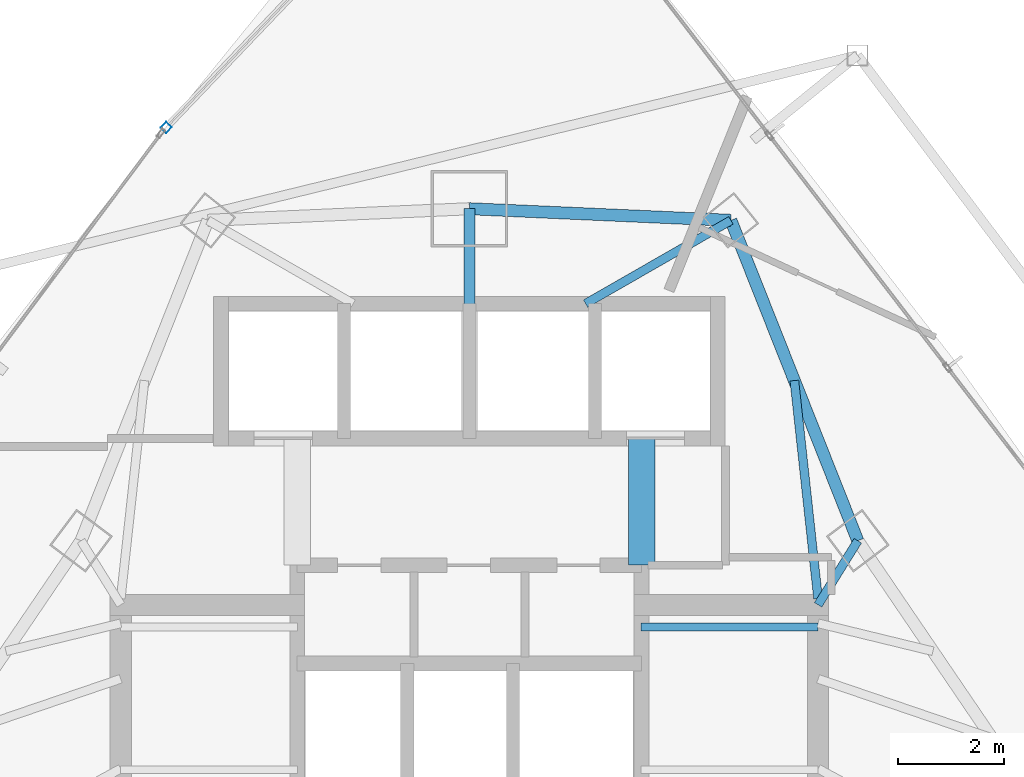
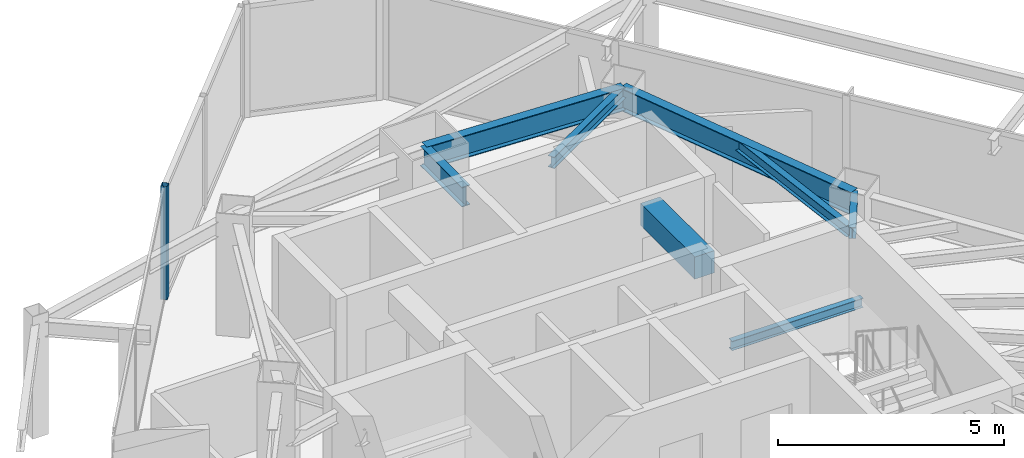
# One storey, part 21 of 31: 8 beams, 1 member, 1 element without a shape of its own.
"""IFC4 building model written with IfcOpenShell, lengths in metres."""

from ifc_helpers import new_model, si_unit, direction, frame, origin, origin_2d, place, context, subcontext, project, spatial, rectangle, hollow_rectangle, i_section, extrude, material, layer, layer_set, material_profile, profile_set, type_object, element, aggregate, save


model = new_model("IFC4")

# Units and contexts
model_context = context("Model", 3, precision=1e-05, world=origin(), true_north=direction((0.0, 1.0)))
body_context = subcontext(model_context, "Body", "Model", "MODEL_VIEW")
ifc_project = project(units=[si_unit("LENGTHUNIT", "METRE"), si_unit("AREAUNIT", "SQUARE_METRE"), si_unit("VOLUMEUNIT", "CUBIC_METRE"), si_unit("PLANEANGLEUNIT", "RADIAN"), si_unit("MASSUNIT", "GRAM", prefix="KILO")], contexts=[model_context])

# Site, building, storey
site_placement = place(None, origin())
site = spatial("IfcSite", under=ifc_project, at=site_placement, CompositionType="ELEMENT")
building_placement = place(site_placement, origin())
building = spatial("IfcBuilding", under=site, at=building_placement, Name="Orvanel Arch Residences", CompositionType="ELEMENT")
storey_placement = place(building_placement, frame((0.0, 0.0, 153.949951171875)))
storey = spatial("IfcBuildingStorey", under=building, at=storey_placement, Name="L43", CompositionType="ELEMENT", Elevation=153.949951171875)

# Beams
ifc_material_1 = material(Name="Structural steel AS/NZS 3679.1 Grade 300 (300 MPa)", Category="steel")
ifc_material_profile_1 = material_profile(ifc_material_1, i_section(OverallWidth=0.208984375, OverallDepth=0.532958984375, WebThickness=0.01025390625, FlangeThickness=0.015625, at=origin_2d()), Name="530UB92.4")
ifc_profile_set_1 = profile_set([ifc_material_profile_1], Name="Structural steel AS/NZS 3679.1 Grade 300 (300 MPa)")
beam_type_1 = type_object("IfcBeamType", Name="BG-530UB", PredefinedType="BEAM", material=ifc_profile_set_1)
beam_1_placement = place(storey_placement, frame((33.0, 39.550048828125, 2.79296875), z_axis=(0.0, 1.0, 0.0), x_axis=(-1.0, 0.0, 0.0)))
element("IfcBeam", 1, at=beam_1_placement, inside=storey, type_object=beam_type_1, Name="L43 North Radial Girder", PredefinedType="BEAM", context=body_context, shape_type="SweptSolid", body=[
    extrude(i_section(OverallWidth=0.208984375, OverallDepth=0.532958984375, WebThickness=0.01025390625, FlangeThickness=0.015625, at=origin_2d()), origin(), (0.0, 0.0, 1.0), 1.847900390625),
])
ifc_material_profile_2 = material_profile(ifc_material_1, i_section(OverallWidth=0.14599609375, OverallDepth=0.251953125, WebThickness=0.006103515625, FlangeThickness=0.008544921875, at=origin_2d()), Name="250UB31.4")
ifc_profile_set_2 = profile_set([ifc_material_profile_2], Name="Structural steel AS/NZS 3679.1 Grade 300 (300 MPa)")
beam_type_2 = type_object("IfcBeamType", Name="BJ-250UB", PredefinedType="JOIST", material=ifc_profile_set_2)
beam_2_placement = place(storey_placement, frame((36.25, 33.47998046875, 1.323974609375), z_axis=(1.0, 0.0, 0.0), x_axis=(0.0, 1.0, 0.0)))
element("IfcBeam", 2, at=beam_2_placement, inside=storey, type_object=beam_type_2, Name="L43 ST-2 Half-Landing Support Beam 1.2", PredefinedType="JOIST", context=body_context, shape_type="SweptSolid", body=[
    extrude(i_section(OverallWidth=0.14599609375, OverallDepth=0.251953125, WebThickness=0.006103515625, FlangeThickness=0.008544921875, at=origin_2d()), origin(), (0.0, 0.0, 1.0), 3.35009765625),
])
ifc_material_profile_3 = material_profile(ifc_material_1, i_section(OverallWidth=0.1650390625, OverallDepth=0.303955078125, WebThickness=0.006103515625, FlangeThickness=0.01025390625, at=origin_2d()), Name="310UB40.4")
ifc_profile_set_3 = profile_set([ifc_material_profile_3], Name="Structural steel AS/NZS 3679.1 Grade 300 (300 MPa)")
beam_type_3 = type_object("IfcBeamType", Name="BJ-310UB", PredefinedType="JOIST", material=ifc_profile_set_3)
beam_3_placement = place(storey_placement, frame((39.60009765625, 33.89990234375, 2.907958984375), z_axis=(0.526843290616, 0.84996243866, 0.0), x_axis=(-0.84996243866, 0.526843290616, 0.0)))
element("IfcBeam", 3, at=beam_3_placement, inside=storey, type_object=beam_type_3, Name="L43 NNE Wing Floor Joist", PredefinedType="JOIST", context=body_context, shape_type="SweptSolid", body=[
    extrude(i_section(OverallWidth=0.1650390625, OverallDepth=0.303955078125, WebThickness=0.006103515625, FlangeThickness=0.01025390625, at=origin_2d()), origin(), (0.0, 0.0, 1.0), 1.42724609375),
])
beam_4_placement = place(storey_placement, frame((39.60009765625, 34.02001953125, 2.907958984375), z_axis=(-0.108261441852, 0.99412245735, 0.0), x_axis=(-0.99412245735, -0.108261441852, 0.0)))
element("IfcBeam", 4, at=beam_4_placement, inside=storey, type_object=beam_type_3, Name="L43 NNE2 Wing Floor Joist", PredefinedType="JOIST", context=body_context, shape_type="SweptSolid", body=[
    extrude(i_section(OverallWidth=0.1650390625, OverallDepth=0.303955078125, WebThickness=0.006103515625, FlangeThickness=0.01025390625, at=origin_2d()), origin(), (0.0, 0.0, 1.0), 4.1494140625),
])
beam_5_placement = place(storey_placement, frame((35.199951171875, 39.60009765625, 2.907958984375), z_axis=(0.86736513383, 0.497672306458, 0.0), x_axis=(-0.497672306458, 0.86736513383, 0.0)))
element("IfcBeam", 5, at=beam_5_placement, inside=storey, type_object=beam_type_3, Name="L43 MNE Wing Floor Joist", PredefinedType="JOIST", context=body_context, shape_type="SweptSolid", body=[
    extrude(i_section(OverallWidth=0.1650390625, OverallDepth=0.303955078125, WebThickness=0.006103515625, FlangeThickness=0.01025390625, at=origin_2d()), origin(), (0.0, 0.0, 1.0), 3.17041015625),
])
ifc_material_2 = material(Name="Concrete S65 (65 MPa)", Category="concrete")
ifc_material_profile_4 = material_profile(ifc_material_2, rectangle(XDim=0.5, YDim=0.60009765625, at=origin_2d()), Name="RC500x600")
ifc_profile_set_4 = profile_set([ifc_material_profile_4], Name="Concrete S65 (65 MPa)")
beam_type_4 = type_object("IfcBeamType", Name="CB-500x600", PredefinedType="LINTEL", material=ifc_profile_set_4)
beam_6_placement = place(storey_placement, frame((36.260009765625, 34.64990234375, 2.760009765625), z_axis=(0.0, 1.0, 0.0), x_axis=(-1.0, 0.0, 0.0)))
element("IfcBeam", 6, at=beam_6_placement, inside=storey, type_object=beam_type_4, Name="L43 East Core Lobby Coupling Lintel Beam", PredefinedType="LINTEL", context=body_context, shape_type="SweptSolid", body=[
    extrude(rectangle(XDim=0.5, YDim=0.60009765625, at=origin_2d()), origin(), (0.0, 0.0, 1.0), 2.400146484375),
])

# Curtain wall, member
ifc_material_3 = material(Name="Bronze-anodised aluminium AA6063-T6", Category="aluminium")
ifc_layer = layer(ifc_material_3, 0.18994140625)
ifc_layer_set = layer_set([ifc_layer], Name="Bronze-anodised aluminium AA6063-T6")
curtain_wall_type = type_object("IfcCurtainWallType", Name="CW5-CRN-SYS", PredefinedType="NOTDEFINED", material=ifc_layer_set)
curtain_wall_placement = place(storey_placement, origin())
curtain_wall = element("IfcCurtainWall", 7, at=curtain_wall_placement, inside=storey, type_object=curtain_wall_type, Name="L43 CW5-CRN-SYS Unitised Curtain Wall", PredefinedType="NOTDEFINED")
ifc_material_profile_5 = material_profile(ifc_material_3, hollow_rectangle(XDim=0.14990234375, YDim=0.14990234375, WallThickness=0.0048828125, at=origin_2d()), Name="ALU150x150x5")
ifc_profile_set_5 = profile_set([ifc_material_profile_5], Name="Bronze-anodised aluminium AA6063-T6")
member_type = type_object("IfcMemberType", Name="MUL-150x150", PredefinedType="MULLION", material=ifc_profile_set_5)
member_placement = place(storey_placement, frame((27.259765625, 42.937255859375, 0.0), z_axis=(0.0, 0.0, 1.0), x_axis=(0.723045752642, -0.69080014446, 0.0)))
member = element("IfcMember", 8, at=member_placement, type_object=member_type, Name="CW-S5 mullion 3", PredefinedType="MULLION", context=body_context, shape_type="SweptSolid", body=[
    extrude(hollow_rectangle(XDim=0.14990234375, YDim=0.14990234375, WallThickness=0.0048828125, at=origin_2d()), origin(), (0.0, 0.0, 1.0), 3.06005859375),
])
aggregate(curtain_wall, [member])

# Beams
ifc_material_profile_6 = material_profile(ifc_material_1, i_section(OverallWidth=0.22900390625, OverallDepth=0.612060546875, WebThickness=0.011962890625, FlangeThickness=0.01953125, at=origin_2d()), Name="610UB125")
ifc_profile_set_6 = profile_set([ifc_material_profile_6], Name="Structural steel AS/NZS 3679.1 Grade 300 (300 MPa)")
beam_type_5 = type_object("IfcBeamType", Name="SP-610UB", PredefinedType="SPANDREL", material=ifc_profile_set_6)
beam_7_placement = place(storey_placement, frame((40.35205078125, 35.113037109375, 2.754150390625), z_axis=(-0.368233143579, 0.929733484376, 0.0), x_axis=(-0.929733484376, -0.368233143579, 0.0)))
element("IfcBeam", 9, at=beam_7_placement, inside=storey, type_object=beam_type_5, Name="L43 Perimeter Spandrel Beam 13", PredefinedType="SPANDREL", context=body_context, shape_type="SweptSolid", body=[
    extrude(i_section(OverallWidth=0.22900390625, OverallDepth=0.612060546875, WebThickness=0.011962890625, FlangeThickness=0.01953125, at=origin_2d()), origin(), (0.0, 0.0, 1.0), 6.523193359375),
])
beam_8_placement = place(storey_placement, frame((37.949951171875, 41.177978515625, 2.754150390625), z_axis=(-0.999014049296, 0.044395149614, 0.0), x_axis=(-0.044395149614, -0.999014049296, 0.0)))
element("IfcBeam", 10, at=beam_8_placement, inside=storey, type_object=beam_type_5, Name="L43 Perimeter Spandrel Beam 14", PredefinedType="SPANDREL", context=body_context, shape_type="SweptSolid", body=[
    extrude(i_section(OverallWidth=0.22900390625, OverallDepth=0.612060546875, WebThickness=0.011962890625, FlangeThickness=0.01953125, at=origin_2d()), origin(), (0.0, 0.0, 1.0), 4.954833984375),
])

save(model, "model.ifc")
